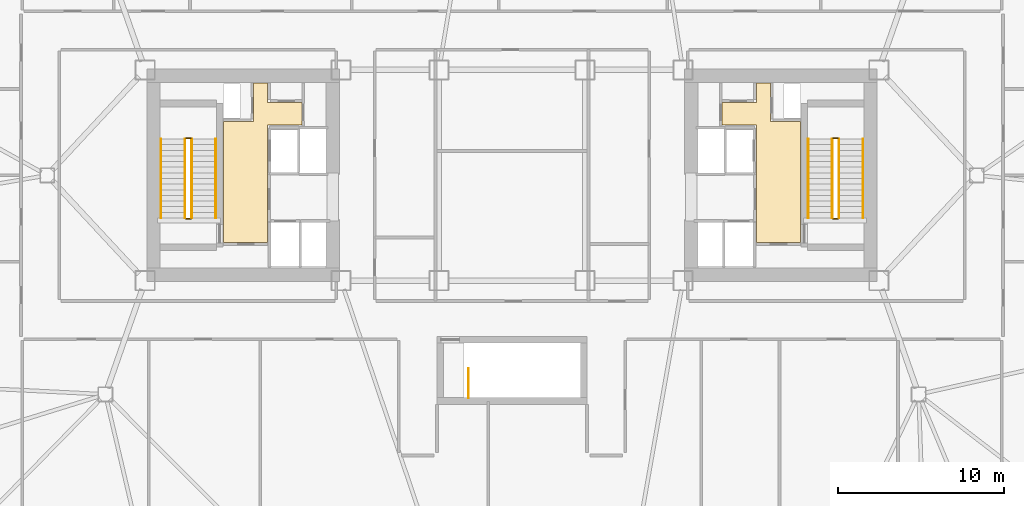
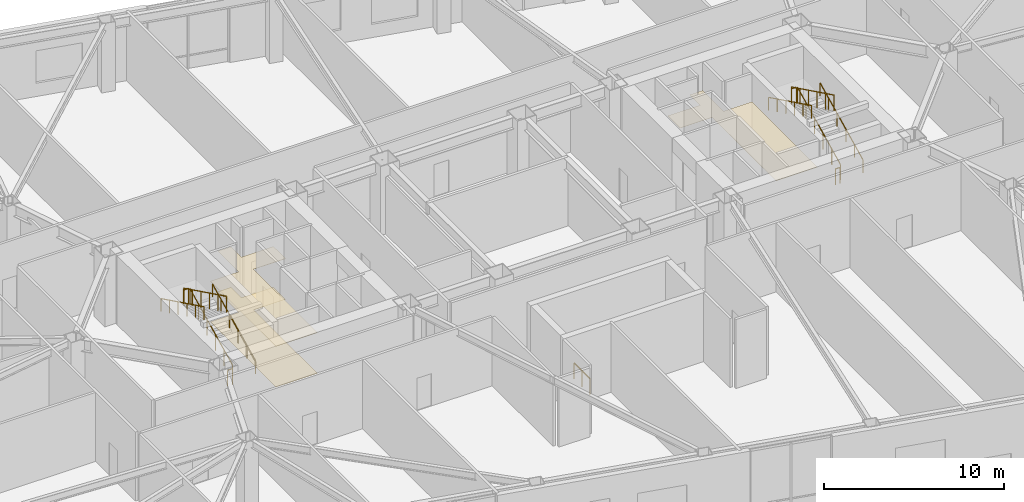
# One storey, part 19 of 19: 13 railings, 3 coverings.
"""IFC4 building model written with IfcOpenShell, lengths in metres."""

from ifc_helpers import new_model, si_unit, direction, frame, origin, origin_2d, place, context, subcontext, project, spatial, polyline, rectangle, outline, extrude, material, layer, layer_set, type_object, element, save


model = new_model("IFC4")

# Units and contexts
model_context = context("Model", 3, precision=1e-05, world=origin(), true_north=direction((0.0, 1.0)))
body_context = subcontext(model_context, "Body", "Model", "MODEL_VIEW")
ifc_project = project(units=[si_unit("LENGTHUNIT", "METRE"), si_unit("AREAUNIT", "SQUARE_METRE"), si_unit("VOLUMEUNIT", "CUBIC_METRE"), si_unit("PLANEANGLEUNIT", "RADIAN"), si_unit("MASSUNIT", "GRAM", prefix="KILO")], contexts=[model_context])

# Site, building, storey
site_placement = place(None, origin())
site = spatial("IfcSite", under=ifc_project, at=site_placement, CompositionType="ELEMENT")
building_placement = place(site_placement, origin())
building = spatial("IfcBuilding", under=site, at=building_placement, Name="Tavrogorsk Clinical Tower", CompositionType="ELEMENT")
storey_placement = place(building_placement, frame((0.0, 0.0, 28.39990234375)))
storey = spatial("IfcBuildingStorey", under=building, at=storey_placement, Name="L05", CompositionType="ELEMENT", Elevation=28.39990234375)

# Coverings
ifc_material_1 = material(Name="Antibacterial micro-perforated aluminium ceiling", Category="aluminium")
ifc_layer_1 = layer(ifc_material_1, 0.014892578125)
ifc_layer_set_1 = layer_set([ifc_layer_1], Name="Antibacterial micro-perforated aluminium ceiling")
covering_type_1 = type_object("IfcCoveringType", Name="ClinicalCeiling_15", PredefinedType="CEILING", material=ifc_layer_set_1)
covering_1_placement = place(storey_placement, frame((0.0, 0.0, 2.75)))
element("IfcCovering", 1, at=covering_1_placement, inside=storey, type_object=covering_type_1, Name="Core West Firefighting Lift Lobby Acoustic Ceiling", PredefinedType="CEILING", context=body_context, shape_type="SweptSolid", body=[
    extrude(outline(polyline([(-17.3798828125, -4.06005859375), (-17.3798828125, 3.239990234375), (-15.56005859375, 3.239990234375), (-15.56005859375, 5.56005859375), (-14.719970703125, 5.56005859375), (-14.719970703125, 4.39990234375), (-12.659912109375, 4.39990234375), (-12.659912109375, 3.0400390625), (-14.719970703125, 3.0400390625), (-14.719970703125, -4.06005859375), (-17.3798828125, -4.06005859375)])), origin(), (0.0, 0.0, 1.0), 0.01513671875),
])
covering_2_placement = place(storey_placement, frame((0.0, 0.0, 2.75)))
element("IfcCovering", 2, at=covering_2_placement, inside=storey, type_object=covering_type_1, Name="Core East Firefighting Lift Lobby Acoustic Ceiling", PredefinedType="CEILING", context=body_context, shape_type="SweptSolid", body=[
    extrude(outline(polyline([(14.719970703125, 3.0400390625), (12.659912109375, 3.0400390625), (12.659912109375, 4.39990234375), (14.719970703125, 4.39990234375), (14.719970703125, 5.56005859375), (15.56005859375, 5.56005859375), (15.56005859375, 3.239990234375), (17.3798828125, 3.239990234375), (17.3798828125, -4.06005859375), (14.719970703125, -4.06005859375), (14.719970703125, 3.0400390625)])), origin(), (0.0, 0.0, 1.0), 0.01513671875),
])
ifc_material_2 = material(Name="Homogeneous medical conductive PVC flooring")
ifc_layer_2 = layer(ifc_material_2, 0.008056640625)
ifc_layer_set_2 = layer_set([ifc_layer_2], Name="Homogeneous medical conductive PVC flooring")
covering_type_2 = type_object("IfcCoveringType", Name="ResilientVinylFloor_8", PredefinedType="FLOORING", material=ifc_layer_set_2)
covering_3_placement = place(storey_placement, origin())
element("IfcCovering", 3, at=covering_3_placement, inside=storey, type_object=covering_type_2, Name="Core West Firefighting Lift Lobby Conductive Vinyl Flooring", PredefinedType="FLOORING", context=body_context, shape_type="SweptSolid", body=[
    extrude(outline(polyline([(-17.3798828125, -4.06005859375), (-17.3798828125, 3.239990234375), (-15.56005859375, 3.239990234375), (-15.56005859375, 5.56005859375), (-14.719970703125, 5.56005859375), (-14.719970703125, 4.39990234375), (-12.659912109375, 4.39990234375), (-12.659912109375, 3.0400390625), (-14.719970703125, 3.0400390625), (-14.719970703125, -4.06005859375), (-17.3798828125, -4.06005859375)])), origin(), (0.0, 0.0, 1.0), 0.008056640625),
])

# Railings
ifc_material_3 = material(Name="Galvanised steel S355 safety stairwell guard", Category="steel")
ifc_layer_3 = layer(ifc_material_3, 0.06005859375)
ifc_layer_set_3 = layer_set([ifc_layer_3], Name="Galvanised steel S355 safety stairwell guard")
railing_type_1 = type_object("IfcRailingType", Name="StairGuard_1150", PredefinedType="GUARDRAIL", material=ifc_layer_set_3)
railing_1_placement = place(storey_placement, frame((-19.300048828125, -2.574951171875, 0.166748046875)))
element("IfcRailing", 4, at=railing_1_placement, inside=storey, type_object=railing_type_1, Name="L05 ST-W stair guard 1", PredefinedType="GUARDRAIL", context=body_context, shape_type="SweptSolid", body=[
    extrude(rectangle(XDim=0.048095703125, YDim=0.048095703125, at=origin_2d()), frame((0.0, 0.0, 1.076171875), z_axis=(0.0, 0.897927146867, 0.440144111535), x_axis=(-1.0, 0.0, 0.0)), (0.0, 0.0, 1.0), 5.301025390625),
    extrude(rectangle(XDim=0.0419921875, YDim=0.0419921875, at=origin_2d()), origin(), (0.0, 0.0, 1.0), 1.052001953125),
    extrude(rectangle(XDim=0.0419921875, YDim=0.0419921875, at=origin_2d()), frame((0.0, 0.951904296875, 0.466552734375)), (0.0, 0.0, 1.0), 1.052001953125),
    extrude(rectangle(XDim=0.0419921875, YDim=0.0419921875, at=origin_2d()), frame((0.0, 1.904052734375, 0.933349609375)), (0.0, 0.0, 1.0), 1.052001953125),
    extrude(rectangle(XDim=0.0419921875, YDim=0.0419921875, at=origin_2d()), frame((0.0, 2.85595703125, 1.39990234375)), (0.0, 0.0, 1.0), 1.052001953125),
    extrude(rectangle(XDim=0.0419921875, YDim=0.0419921875, at=origin_2d()), frame((0.0, 3.80810546875, 1.86669921875)), (0.0, 0.0, 1.0), 1.052001953125),
    extrude(rectangle(XDim=0.0419921875, YDim=0.0419921875, at=origin_2d()), frame((0.0, 4.760009765625, 2.333251953125)), (0.0, 0.0, 1.0), 1.052001953125),
])
railing_2_placement = place(storey_placement, frame((-19.35009765625, 2.235107421875, 2.5)))
element("IfcRailing", 5, at=railing_2_placement, inside=storey, type_object=railing_type_1, Name="L05 ST-W stair guard 2", PredefinedType="GUARDRAIL", context=body_context, shape_type="SweptSolid", body=[
    extrude(rectangle(XDim=0.048095703125, YDim=0.048095703125, at=origin_2d()), frame((0.0, 0.0, 1.076171875), z_axis=(-1.0, 0.0, 0.0), x_axis=(0.0, -1.0, 0.0)), (0.0, 0.0, 1.0), 0.2998046875),
    extrude(rectangle(XDim=0.0419921875, YDim=0.0419921875, at=origin_2d()), origin(), (0.0, 0.0, 1.0), 1.052001953125),
    extrude(rectangle(XDim=0.0419921875, YDim=0.0419921875, at=origin_2d()), frame((-0.2998046875, 0.0, 0.0)), (0.0, 0.0, 1.0), 1.052001953125),
])
railing_3_placement = place(storey_placement, frame((-19.699951171875, 2.18505859375, 2.666748046875)))
element("IfcRailing", 6, at=railing_3_placement, inside=storey, type_object=railing_type_1, Name="L05 ST-W stair guard 3", PredefinedType="GUARDRAIL", context=body_context, shape_type="SweptSolid", body=[
    extrude(rectangle(XDim=0.048095703125, YDim=0.048095703125, at=origin_2d()), frame((0.0, 0.0, 1.076171875), z_axis=(0.0, -0.897927146867, 0.440144111535), x_axis=(1.0, 0.0, 0.0)), (0.0, 0.0, 1.0), 5.301025390625),
    extrude(rectangle(XDim=0.0419921875, YDim=0.0419921875, at=origin_2d()), origin(), (0.0, 0.0, 1.0), 1.052001953125),
    extrude(rectangle(XDim=0.0419921875, YDim=0.0419921875, at=origin_2d()), frame((0.0, -0.951904296875, 0.466552734375)), (0.0, 0.0, 1.0), 1.052001953125),
    extrude(rectangle(XDim=0.0419921875, YDim=0.0419921875, at=origin_2d()), frame((0.0, -1.904052734375, 0.933349609375)), (0.0, 0.0, 1.0), 1.052001953125),
    extrude(rectangle(XDim=0.0419921875, YDim=0.0419921875, at=origin_2d()), frame((0.0, -2.85595703125, 1.39990234375)), (0.0, 0.0, 1.0), 1.052001953125),
    extrude(rectangle(XDim=0.0419921875, YDim=0.0419921875, at=origin_2d()), frame((0.0, -3.80810546875, 1.86669921875)), (0.0, 0.0, 1.0), 1.052001953125),
    extrude(rectangle(XDim=0.0419921875, YDim=0.0419921875, at=origin_2d()), frame((0.0, -4.760009765625, 2.333251953125)), (0.0, 0.0, 1.0), 1.052001953125),
])
railing_4_placement = place(storey_placement, frame((-19.35009765625, -2.625, 0.0)))
element("IfcRailing", 7, at=railing_4_placement, inside=storey, type_object=railing_type_1, Name="L05 ST-W stair guard 4", PredefinedType="GUARDRAIL", context=body_context, shape_type="SweptSolid", body=[
    extrude(rectangle(XDim=0.048095703125, YDim=0.048095703125, at=origin_2d()), frame((0.0, 0.0, 1.076171875), z_axis=(-1.0, 0.0, 0.0), x_axis=(0.0, -1.0, 0.0)), (0.0, 0.0, 1.0), 0.2998046875),
    extrude(rectangle(XDim=0.0419921875, YDim=0.0419921875, at=origin_2d()), origin(), (0.0, 0.0, 1.0), 1.052001953125),
    extrude(rectangle(XDim=0.0419921875, YDim=0.0419921875, at=origin_2d()), frame((-0.2998046875, 0.0, 0.0)), (0.0, 0.0, 1.0), 1.052001953125),
])
railing_5_placement = place(storey_placement, frame((19.699951171875, -2.574951171875, 0.166748046875)))
element("IfcRailing", 8, at=railing_5_placement, inside=storey, type_object=railing_type_1, Name="L05 ST-E stair guard 1", PredefinedType="GUARDRAIL", context=body_context, shape_type="SweptSolid", body=[
    extrude(rectangle(XDim=0.048095703125, YDim=0.048095703125, at=origin_2d()), frame((0.0, 0.0, 1.076171875), z_axis=(0.0, 0.897927146867, 0.440144111535), x_axis=(-1.0, 0.0, 0.0)), (0.0, 0.0, 1.0), 5.301025390625),
    extrude(rectangle(XDim=0.0419921875, YDim=0.0419921875, at=origin_2d()), origin(), (0.0, 0.0, 1.0), 1.052001953125),
    extrude(rectangle(XDim=0.0419921875, YDim=0.0419921875, at=origin_2d()), frame((0.0, 0.951904296875, 0.466552734375)), (0.0, 0.0, 1.0), 1.052001953125),
    extrude(rectangle(XDim=0.0419921875, YDim=0.0419921875, at=origin_2d()), frame((0.0, 1.904052734375, 0.933349609375)), (0.0, 0.0, 1.0), 1.052001953125),
    extrude(rectangle(XDim=0.0419921875, YDim=0.0419921875, at=origin_2d()), frame((0.0, 2.85595703125, 1.39990234375)), (0.0, 0.0, 1.0), 1.052001953125),
    extrude(rectangle(XDim=0.0419921875, YDim=0.0419921875, at=origin_2d()), frame((0.0, 3.80810546875, 1.86669921875)), (0.0, 0.0, 1.0), 1.052001953125),
    extrude(rectangle(XDim=0.0419921875, YDim=0.0419921875, at=origin_2d()), frame((0.0, 4.760009765625, 2.333251953125)), (0.0, 0.0, 1.0), 1.052001953125),
])
railing_6_placement = place(storey_placement, frame((19.64990234375, 2.235107421875, 2.5)))
element("IfcRailing", 9, at=railing_6_placement, inside=storey, type_object=railing_type_1, Name="L05 ST-E stair guard 2", PredefinedType="GUARDRAIL", context=body_context, shape_type="SweptSolid", body=[
    extrude(rectangle(XDim=0.048095703125, YDim=0.048095703125, at=origin_2d()), frame((0.0, 0.0, 1.076171875), z_axis=(-1.0, 0.0, 0.0), x_axis=(0.0, -1.0, 0.0)), (0.0, 0.0, 1.0), 0.2998046875),
    extrude(rectangle(XDim=0.0419921875, YDim=0.0419921875, at=origin_2d()), origin(), (0.0, 0.0, 1.0), 1.052001953125),
    extrude(rectangle(XDim=0.0419921875, YDim=0.0419921875, at=origin_2d()), frame((-0.2998046875, 0.0, 0.0)), (0.0, 0.0, 1.0), 1.052001953125),
])
railing_7_placement = place(storey_placement, frame((19.300048828125, 2.18505859375, 2.666748046875)))
element("IfcRailing", 10, at=railing_7_placement, inside=storey, type_object=railing_type_1, Name="L05 ST-E stair guard 3", PredefinedType="GUARDRAIL", context=body_context, shape_type="SweptSolid", body=[
    extrude(rectangle(XDim=0.048095703125, YDim=0.048095703125, at=origin_2d()), frame((0.0, 0.0, 1.076171875), z_axis=(0.0, -0.897927146867, 0.440144111535), x_axis=(1.0, 0.0, 0.0)), (0.0, 0.0, 1.0), 5.301025390625),
    extrude(rectangle(XDim=0.0419921875, YDim=0.0419921875, at=origin_2d()), origin(), (0.0, 0.0, 1.0), 1.052001953125),
    extrude(rectangle(XDim=0.0419921875, YDim=0.0419921875, at=origin_2d()), frame((0.0, -0.951904296875, 0.466552734375)), (0.0, 0.0, 1.0), 1.052001953125),
    extrude(rectangle(XDim=0.0419921875, YDim=0.0419921875, at=origin_2d()), frame((0.0, -1.904052734375, 0.933349609375)), (0.0, 0.0, 1.0), 1.052001953125),
    extrude(rectangle(XDim=0.0419921875, YDim=0.0419921875, at=origin_2d()), frame((0.0, -2.85595703125, 1.39990234375)), (0.0, 0.0, 1.0), 1.052001953125),
    extrude(rectangle(XDim=0.0419921875, YDim=0.0419921875, at=origin_2d()), frame((0.0, -3.80810546875, 1.86669921875)), (0.0, 0.0, 1.0), 1.052001953125),
    extrude(rectangle(XDim=0.0419921875, YDim=0.0419921875, at=origin_2d()), frame((0.0, -4.760009765625, 2.333251953125)), (0.0, 0.0, 1.0), 1.052001953125),
])
railing_8_placement = place(storey_placement, frame((19.64990234375, -2.625, 0.0)))
element("IfcRailing", 11, at=railing_8_placement, inside=storey, type_object=railing_type_1, Name="L05 ST-E stair guard 4", PredefinedType="GUARDRAIL", context=body_context, shape_type="SweptSolid", body=[
    extrude(rectangle(XDim=0.048095703125, YDim=0.048095703125, at=origin_2d()), frame((0.0, 0.0, 1.076171875), z_axis=(-1.0, 0.0, 0.0), x_axis=(0.0, -1.0, 0.0)), (0.0, 0.0, 1.0), 0.2998046875),
    extrude(rectangle(XDim=0.0419921875, YDim=0.0419921875, at=origin_2d()), origin(), (0.0, 0.0, 1.0), 1.052001953125),
    extrude(rectangle(XDim=0.0419921875, YDim=0.0419921875, at=origin_2d()), frame((-0.2998046875, 0.0, 0.0)), (0.0, 0.0, 1.0), 1.052001953125),
])
railing_9_placement = place(storey_placement, frame((-2.625, -13.39990234375, 0.0)))
element("IfcRailing", 12, at=railing_9_placement, inside=storey, type_object=railing_type_1, Name="L05 ST-P top well guard 1", PredefinedType="GUARDRAIL", context=body_context, shape_type="SweptSolid", body=[
    extrude(rectangle(XDim=0.048095703125, YDim=0.048095703125, at=origin_2d()), frame((0.0, 0.0, 1.076171875), z_axis=(0.0, 1.0, 0.0), x_axis=(-1.0, 0.0, 0.0)), (0.0, 0.0, 1.0), 1.75),
    extrude(rectangle(XDim=0.0419921875, YDim=0.0419921875, at=origin_2d()), origin(), (0.0, 0.0, 1.0), 1.052001953125),
    extrude(rectangle(XDim=0.0419921875, YDim=0.0419921875, at=origin_2d()), frame((0.0, 0.875, 0.0)), (0.0, 0.0, 1.0), 1.052001953125),
    extrude(rectangle(XDim=0.0419921875, YDim=0.0419921875, at=origin_2d()), frame((0.0, 1.75, 0.0)), (0.0, 0.0, 1.0), 1.052001953125),
])
ifc_material_4 = material(Name="Stainless steel AISI 304 tubular handrail", Category="steel")
ifc_layer_4 = layer(ifc_material_4, 0.050048828125)
ifc_layer_set_4 = layer_set([ifc_layer_4], Name="Stainless steel AISI 304 tubular handrail")
railing_type_2 = type_object("IfcRailingType", Name="StairHandrail_920", PredefinedType="HANDRAIL", material=ifc_layer_set_4)
railing_10_placement = place(storey_placement, frame((-17.85009765625, -2.574951171875, 0.166748046875)))
element("IfcRailing", 13, at=railing_10_placement, inside=storey, type_object=railing_type_2, Name="L05 ST-W stair handrail 1", PredefinedType="HANDRAIL", context=body_context, shape_type="SweptSolid", body=[
    extrude(rectangle(XDim=0.048095703125, YDim=0.048095703125, at=origin_2d()), frame((0.0, 0.0, 0.8759765625), z_axis=(0.0, 0.897927146867, 0.440144111535), x_axis=(-1.0, 0.0, 0.0)), (0.0, 0.0, 1.0), 5.301025390625),
    extrude(rectangle(XDim=0.0419921875, YDim=0.0419921875, at=origin_2d()), origin(), (0.0, 0.0, 1.0), 0.851806640625),
    extrude(rectangle(XDim=0.0419921875, YDim=0.0419921875, at=origin_2d()), frame((0.0, 0.951904296875, 0.466552734375)), (0.0, 0.0, 1.0), 0.851806640625),
    extrude(rectangle(XDim=0.0419921875, YDim=0.0419921875, at=origin_2d()), frame((0.0, 1.904052734375, 0.933349609375)), (0.0, 0.0, 1.0), 0.851806640625),
    extrude(rectangle(XDim=0.0419921875, YDim=0.0419921875, at=origin_2d()), frame((0.0, 2.85595703125, 1.39990234375)), (0.0, 0.0, 1.0), 0.851806640625),
    extrude(rectangle(XDim=0.0419921875, YDim=0.0419921875, at=origin_2d()), frame((0.0, 3.80810546875, 1.86669921875)), (0.0, 0.0, 1.0), 0.851806640625),
    extrude(rectangle(XDim=0.0419921875, YDim=0.0419921875, at=origin_2d()), frame((0.0, 4.760009765625, 2.333251953125)), (0.0, 0.0, 1.0), 0.851806640625),
])
railing_11_placement = place(storey_placement, frame((-21.14990234375, 2.18505859375, 2.666748046875)))
element("IfcRailing", 14, at=railing_11_placement, inside=storey, type_object=railing_type_2, Name="L05 ST-W stair handrail 2", PredefinedType="HANDRAIL", context=body_context, shape_type="SweptSolid", body=[
    extrude(rectangle(XDim=0.048095703125, YDim=0.048095703125, at=origin_2d()), frame((0.0, 0.0, 0.8759765625), z_axis=(0.0, -0.897927146867, 0.440144111535), x_axis=(1.0, 0.0, 0.0)), (0.0, 0.0, 1.0), 5.301025390625),
    extrude(rectangle(XDim=0.0419921875, YDim=0.0419921875, at=origin_2d()), origin(), (0.0, 0.0, 1.0), 0.851806640625),
    extrude(rectangle(XDim=0.0419921875, YDim=0.0419921875, at=origin_2d()), frame((0.0, -0.951904296875, 0.466552734375)), (0.0, 0.0, 1.0), 0.851806640625),
    extrude(rectangle(XDim=0.0419921875, YDim=0.0419921875, at=origin_2d()), frame((0.0, -1.904052734375, 0.933349609375)), (0.0, 0.0, 1.0), 0.851806640625),
    extrude(rectangle(XDim=0.0419921875, YDim=0.0419921875, at=origin_2d()), frame((0.0, -2.85595703125, 1.39990234375)), (0.0, 0.0, 1.0), 0.851806640625),
    extrude(rectangle(XDim=0.0419921875, YDim=0.0419921875, at=origin_2d()), frame((0.0, -3.80810546875, 1.86669921875)), (0.0, 0.0, 1.0), 0.851806640625),
    extrude(rectangle(XDim=0.0419921875, YDim=0.0419921875, at=origin_2d()), frame((0.0, -4.760009765625, 2.333251953125)), (0.0, 0.0, 1.0), 0.851806640625),
])
railing_12_placement = place(storey_placement, frame((21.14990234375, -2.574951171875, 0.166748046875)))
element("IfcRailing", 15, at=railing_12_placement, inside=storey, type_object=railing_type_2, Name="L05 ST-E stair handrail 1", PredefinedType="HANDRAIL", context=body_context, shape_type="SweptSolid", body=[
    extrude(rectangle(XDim=0.048095703125, YDim=0.048095703125, at=origin_2d()), frame((0.0, 0.0, 0.8759765625), z_axis=(0.0, 0.897927146867, 0.440144111535), x_axis=(-1.0, 0.0, 0.0)), (0.0, 0.0, 1.0), 5.301025390625),
    extrude(rectangle(XDim=0.0419921875, YDim=0.0419921875, at=origin_2d()), origin(), (0.0, 0.0, 1.0), 0.851806640625),
    extrude(rectangle(XDim=0.0419921875, YDim=0.0419921875, at=origin_2d()), frame((0.0, 0.951904296875, 0.466552734375)), (0.0, 0.0, 1.0), 0.851806640625),
    extrude(rectangle(XDim=0.0419921875, YDim=0.0419921875, at=origin_2d()), frame((0.0, 1.904052734375, 0.933349609375)), (0.0, 0.0, 1.0), 0.851806640625),
    extrude(rectangle(XDim=0.0419921875, YDim=0.0419921875, at=origin_2d()), frame((0.0, 2.85595703125, 1.39990234375)), (0.0, 0.0, 1.0), 0.851806640625),
    extrude(rectangle(XDim=0.0419921875, YDim=0.0419921875, at=origin_2d()), frame((0.0, 3.80810546875, 1.86669921875)), (0.0, 0.0, 1.0), 0.851806640625),
    extrude(rectangle(XDim=0.0419921875, YDim=0.0419921875, at=origin_2d()), frame((0.0, 4.760009765625, 2.333251953125)), (0.0, 0.0, 1.0), 0.851806640625),
])
railing_13_placement = place(storey_placement, frame((17.85009765625, 2.18505859375, 2.666748046875)))
element("IfcRailing", 16, at=railing_13_placement, inside=storey, type_object=railing_type_2, Name="L05 ST-E stair handrail 2", PredefinedType="HANDRAIL", context=body_context, shape_type="SweptSolid", body=[
    extrude(rectangle(XDim=0.048095703125, YDim=0.048095703125, at=origin_2d()), frame((0.0, 0.0, 0.8759765625), z_axis=(0.0, -0.897927146867, 0.440144111535), x_axis=(1.0, 0.0, 0.0)), (0.0, 0.0, 1.0), 5.301025390625),
    extrude(rectangle(XDim=0.0419921875, YDim=0.0419921875, at=origin_2d()), origin(), (0.0, 0.0, 1.0), 0.851806640625),
    extrude(rectangle(XDim=0.0419921875, YDim=0.0419921875, at=origin_2d()), frame((0.0, -0.951904296875, 0.466552734375)), (0.0, 0.0, 1.0), 0.851806640625),
    extrude(rectangle(XDim=0.0419921875, YDim=0.0419921875, at=origin_2d()), frame((0.0, -1.904052734375, 0.933349609375)), (0.0, 0.0, 1.0), 0.851806640625),
    extrude(rectangle(XDim=0.0419921875, YDim=0.0419921875, at=origin_2d()), frame((0.0, -2.85595703125, 1.39990234375)), (0.0, 0.0, 1.0), 0.851806640625),
    extrude(rectangle(XDim=0.0419921875, YDim=0.0419921875, at=origin_2d()), frame((0.0, -3.80810546875, 1.86669921875)), (0.0, 0.0, 1.0), 0.851806640625),
    extrude(rectangle(XDim=0.0419921875, YDim=0.0419921875, at=origin_2d()), frame((0.0, -4.760009765625, 2.333251953125)), (0.0, 0.0, 1.0), 0.851806640625),
])

save(model, "model.ifc")
